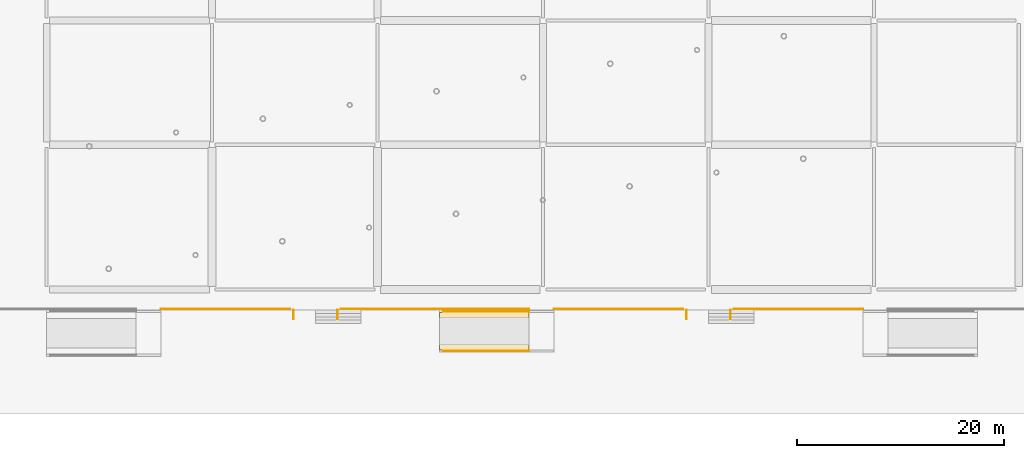
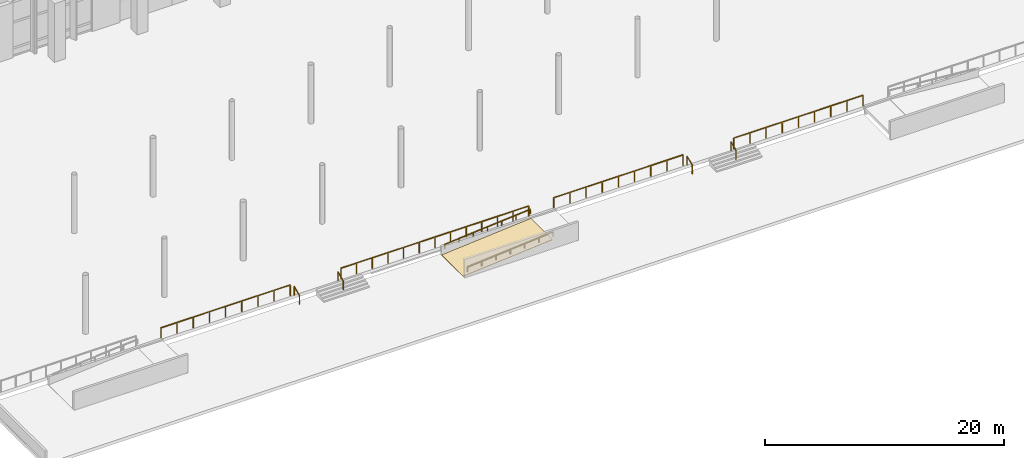
# One storey, part 146 of 163: 10 railings, 1 covering, 3 elements without a shape of their own.
"""IFC4 building model written with IfcOpenShell, lengths in metres."""

from ifc_helpers import new_model, si_unit, direction, frame, origin, origin_2d, place, context, subcontext, project, spatial, polyline, rectangle, outline, extrude, material, layer, layer_set, type_object, element, aggregate, save


model = new_model("IFC4")

# Units and contexts
model_context = context("Model", 3, precision=1e-05, world=origin(), true_north=direction((0.0, 1.0)))
body_context = subcontext(model_context, "Body", "Model", "MODEL_VIEW")
ifc_project = project(units=[si_unit("LENGTHUNIT", "METRE"), si_unit("AREAUNIT", "SQUARE_METRE"), si_unit("VOLUMEUNIT", "CUBIC_METRE"), si_unit("PLANEANGLEUNIT", "RADIAN"), si_unit("MASSUNIT", "GRAM", prefix="KILO")], contexts=[model_context])

# Site, building, storey
site_placement = place(None, origin())
site = spatial("IfcSite", under=ifc_project, at=site_placement, CompositionType="ELEMENT")
building_placement = place(site_placement, origin())
building = spatial("IfcBuilding", under=site, at=building_placement, Name="Khorjan Park Terminus", CompositionType="ELEMENT")
storey_placement = place(building_placement, origin())
storey = spatial("IfcBuildingStorey", under=building, at=storey_placement, Name="L00", CompositionType="ELEMENT", Elevation=0.0)

# Covering
ifc_material_1 = material(Name="Exterior Flamed Granite Ramp Paving", Category="masonry")
ifc_layer = layer(ifc_material_1, 0.045)
ifc_layer_set = layer_set([ifc_layer], Name="Exterior Flamed Granite Ramp Paving")
covering_type = type_object("IfcCoveringType", Name="CV-FLR-GRNE", PredefinedType="FLOORING", material=ifc_layer_set)
covering_placement = place(storey_placement, frame((86.0, -17.84, -0.68), z_axis=(-0.083045479854, 0.0, 0.996545758245), x_axis=(0.996545758245, 0.0, 0.083045479854)))
element("IfcCovering", 1, at=covering_placement, inside=storey, type_object=covering_type, Name="Flamed granite ramp wearing surface FF-GRNE (GRMP-S-M)", PredefinedType="FLOORING", context=body_context, shape_type="SweptSolid", body=[
    extrude(outline(polyline([(0.0, 0.0), (8.669948096730455, 0.0), (8.669948096730455, 3.5999999999999996), (0.0, 3.5999999999999996), (0.0, 0.0)])), origin(), (0.0, 0.0, -1.0), 0.045),
])

# Railings
ifc_material_2 = material(Name="Anodized Bronze Aluminium & Laminated Glass", Category="aluminium")
railing_type_1 = type_object("IfcRailingType", Name="GR-BAL", PredefinedType="BALUSTRADE", material=ifc_material_2)
for number, where, name in (
    (2, (71.55, -13.9, 0.0), "Perimeter safety guard GB-112 (L00-4)"),
    (3, (109.55, -13.9, 0.0), "Perimeter safety guard GB-112 (L00-6)"),
):
    element("IfcRailing", number, at=place(storey_placement, frame(where)), inside=storey, type_object=railing_type_1, Name=name, PredefinedType="BALUSTRADE", context=body_context, shape_type="SweptSolid", body=[
        extrude(rectangle(XDim=0.048, YDim=0.048, at=origin_2d()), frame((0.0, 0.0, 1.096), z_axis=(-1.0, 0.0, 0.0), x_axis=(0.0, -1.0, 0.0)), (0.0, 0.0, 1.0), 12.51),
        extrude(rectangle(XDim=0.042, YDim=0.042, at=origin_2d()), origin(), (0.0, 0.0, 1.0), 1.072),
        extrude(rectangle(XDim=0.042, YDim=0.042, at=origin_2d()), frame((-1.5637, 0.0, 0.0)), (0.0, 0.0, 1.0), 1.072),
        extrude(rectangle(XDim=0.042, YDim=0.042, at=origin_2d()), frame((-3.1275, 0.0, 0.0)), (0.0, 0.0, 1.0), 1.072),
        extrude(rectangle(XDim=0.042, YDim=0.042, at=origin_2d()), frame((-4.6912, 0.0, 0.0)), (0.0, 0.0, 1.0), 1.072),
        extrude(rectangle(XDim=0.042, YDim=0.042, at=origin_2d()), frame((-6.255, 0.0, 0.0)), (0.0, 0.0, 1.0), 1.072),
        extrude(rectangle(XDim=0.042, YDim=0.042, at=origin_2d()), frame((-7.8187, 0.0, 0.0)), (0.0, 0.0, 1.0), 1.072),
        extrude(rectangle(XDim=0.042, YDim=0.042, at=origin_2d()), frame((-9.3825, 0.0, 0.0)), (0.0, 0.0, 1.0), 1.072),
        extrude(rectangle(XDim=0.042, YDim=0.042, at=origin_2d()), frame((-10.9462, 0.0, 0.0)), (0.0, 0.0, 1.0), 1.072),
        extrude(rectangle(XDim=0.042, YDim=0.042, at=origin_2d()), frame((-12.51, 0.0, 0.0)), (0.0, 0.0, 1.0), 1.072),
    ])
ifc_material_3 = material(Name="Steel S355", Category="steel")
railing_type_2 = type_object("IfcRailingType", Name="GR-EXT", PredefinedType="GUARDRAIL", material=ifc_material_3)
railing_1_placement = place(storey_placement, frame((94.625, -13.9, 0.0)))
element("IfcRailing", 4, at=railing_1_placement, inside=storey, type_object=railing_type_2, Name="Perimeter safety guard GR-EXT (L00-5)", PredefinedType="GUARDRAIL", context=body_context, shape_type="SweptSolid", body=[
    extrude(rectangle(XDim=0.048, YDim=0.048, at=origin_2d()), frame((0.0, 0.0, 1.096), z_axis=(-1.0, 0.0, 0.0), x_axis=(0.0, -1.0, 0.0)), (0.0, 0.0, 1.0), 18.175),
    extrude(rectangle(XDim=0.042, YDim=0.042, at=origin_2d()), origin(), (0.0, 0.0, 1.0), 1.072),
    extrude(rectangle(XDim=0.042, YDim=0.042, at=origin_2d()), frame((-1.5146, 0.0, 0.0)), (0.0, 0.0, 1.0), 1.072),
    extrude(rectangle(XDim=0.042, YDim=0.042, at=origin_2d()), frame((-3.0292, 0.0, 0.0)), (0.0, 0.0, 1.0), 1.072),
    extrude(rectangle(XDim=0.042, YDim=0.042, at=origin_2d()), frame((-4.5437, 0.0, 0.0)), (0.0, 0.0, 1.0), 1.072),
    extrude(rectangle(XDim=0.042, YDim=0.042, at=origin_2d()), frame((-6.0583, 0.0, 0.0)), (0.0, 0.0, 1.0), 1.072),
    extrude(rectangle(XDim=0.042, YDim=0.042, at=origin_2d()), frame((-7.5729, 0.0, 0.0)), (0.0, 0.0, 1.0), 1.072),
    extrude(rectangle(XDim=0.042, YDim=0.042, at=origin_2d()), frame((-9.0875, 0.0, 0.0)), (0.0, 0.0, 1.0), 1.072),
    extrude(rectangle(XDim=0.042, YDim=0.042, at=origin_2d()), frame((-10.6021, 0.0, 0.0)), (0.0, 0.0, 1.0), 1.072),
    extrude(rectangle(XDim=0.042, YDim=0.042, at=origin_2d()), frame((-12.1167, 0.0, 0.0)), (0.0, 0.0, 1.0), 1.072),
    extrude(rectangle(XDim=0.042, YDim=0.042, at=origin_2d()), frame((-13.6312, 0.0, 0.0)), (0.0, 0.0, 1.0), 1.072),
    extrude(rectangle(XDim=0.042, YDim=0.042, at=origin_2d()), frame((-15.1458, 0.0, 0.0)), (0.0, 0.0, 1.0), 1.072),
    extrude(rectangle(XDim=0.042, YDim=0.042, at=origin_2d()), frame((-16.6604, 0.0, 0.0)), (0.0, 0.0, 1.0), 1.072),
    extrude(rectangle(XDim=0.042, YDim=0.042, at=origin_2d()), frame((-18.175, 0.0, 0.0)), (0.0, 0.0, 1.0), 1.072),
])
railing_2_placement = place(storey_placement, frame((126.96, -13.9, 0.0)))
element("IfcRailing", 5, at=railing_2_placement, inside=storey, type_object=railing_type_2, Name="Perimeter safety guard GR-EXT (L00-7)", PredefinedType="GUARDRAIL", context=body_context, shape_type="SweptSolid", body=[
    extrude(rectangle(XDim=0.048, YDim=0.048, at=origin_2d()), frame((0.0, 0.0, 1.096), z_axis=(-1.0, 0.0, 0.0), x_axis=(0.0, -1.0, 0.0)), (0.0, 0.0, 1.0), 12.51),
    extrude(rectangle(XDim=0.042, YDim=0.042, at=origin_2d()), origin(), (0.0, 0.0, 1.0), 1.072),
    extrude(rectangle(XDim=0.042, YDim=0.042, at=origin_2d()), frame((-1.5637, 0.0, 0.0)), (0.0, 0.0, 1.0), 1.072),
    extrude(rectangle(XDim=0.042, YDim=0.042, at=origin_2d()), frame((-3.1275, 0.0, 0.0)), (0.0, 0.0, 1.0), 1.072),
    extrude(rectangle(XDim=0.042, YDim=0.042, at=origin_2d()), frame((-4.6912, 0.0, 0.0)), (0.0, 0.0, 1.0), 1.072),
    extrude(rectangle(XDim=0.042, YDim=0.042, at=origin_2d()), frame((-6.255, 0.0, 0.0)), (0.0, 0.0, 1.0), 1.072),
    extrude(rectangle(XDim=0.042, YDim=0.042, at=origin_2d()), frame((-7.8187, 0.0, 0.0)), (0.0, 0.0, 1.0), 1.072),
    extrude(rectangle(XDim=0.042, YDim=0.042, at=origin_2d()), frame((-9.3825, 0.0, 0.0)), (0.0, 0.0, 1.0), 1.072),
    extrude(rectangle(XDim=0.042, YDim=0.042, at=origin_2d()), frame((-10.9462, 0.0, 0.0)), (0.0, 0.0, 1.0), 1.072),
    extrude(rectangle(XDim=0.042, YDim=0.042, at=origin_2d()), frame((-12.51, 0.0, 0.0)), (0.0, 0.0, 1.0), 1.072),
])

# Stair, railings
ifc_material_4 = material(Name="Concrete C40/50", Category="concrete")
stair_type = type_object("IfcStairType", Name="STR-CIV-440", PredefinedType="STRAIGHT_RUN_STAIR", material=ifc_material_4)
stair_1_placement = place(storey_placement, origin())
stair_1 = element("IfcStair", 6, at=stair_1_placement, inside=storey, type_object=stair_type, Name="Monumental civic entrance stair ES-01", PredefinedType="STRAIGHT_RUN_STAIR")
railing_type_3 = type_object("IfcRailingType", Name="HR-EXT", PredefinedType="HANDRAIL", material=ifc_material_3)
railing_3_placement = place(storey_placement, frame((71.88, -14.86, -0.387)))
railing_3 = element("IfcRailing", 7, at=railing_3_placement, type_object=railing_type_3, Name="Civic stair ES-01 left handrail HR-EXT", PredefinedType="HANDRAIL", context=body_context, shape_type="SweptSolid", body=[
    extrude(rectangle(XDim=0.048, YDim=0.048, at=origin_2d()), frame((0.0, 0.0, 0.896), z_axis=(0.0, 0.911921505175, 0.410364677329), x_axis=(-1.0, 0.0, 0.0)), (0.0, 0.0, 1.0), 0.9431),
    extrude(rectangle(XDim=0.042, YDim=0.042, at=origin_2d()), origin(), (0.0, 0.0, 1.0), 0.872),
    extrude(rectangle(XDim=0.042, YDim=0.042, at=origin_2d()), frame((0.0, 0.86, 0.387)), (0.0, 0.0, 1.0), 0.872),
])
railing_4_placement = place(storey_placement, frame((76.12, -14.86, -0.387)))
railing_4 = element("IfcRailing", 8, at=railing_4_placement, type_object=railing_type_3, Name="Civic stair ES-01 right handrail HR-EXT", PredefinedType="HANDRAIL", context=body_context, shape_type="SweptSolid", body=[
    extrude(rectangle(XDim=0.048, YDim=0.048, at=origin_2d()), frame((0.0, 0.0, 0.896), z_axis=(0.0, 0.911921505175, 0.410364677329), x_axis=(-1.0, 0.0, 0.0)), (0.0, 0.0, 1.0), 0.9431),
    extrude(rectangle(XDim=0.042, YDim=0.042, at=origin_2d()), origin(), (0.0, 0.0, 1.0), 0.872),
    extrude(rectangle(XDim=0.042, YDim=0.042, at=origin_2d()), frame((0.0, 0.86, 0.387)), (0.0, 0.0, 1.0), 0.872),
])
aggregate(stair_1, [railing_3, railing_4])

stair_2_placement = place(storey_placement, origin())
stair_2 = element("IfcStair", 9, at=stair_2_placement, inside=storey, type_object=stair_type, Name="Monumental civic entrance stair ES-02", PredefinedType="STRAIGHT_RUN_STAIR")
railing_5_placement = place(storey_placement, frame((109.88, -14.86, -0.387)))
railing_5 = element("IfcRailing", 10, at=railing_5_placement, type_object=railing_type_3, Name="Civic stair ES-02 left handrail HR-EXT", PredefinedType="HANDRAIL", context=body_context, shape_type="SweptSolid", body=[
    extrude(rectangle(XDim=0.048, YDim=0.048, at=origin_2d()), frame((0.0, 0.0, 0.896), z_axis=(0.0, 0.911921505175, 0.410364677329), x_axis=(-1.0, 0.0, 0.0)), (0.0, 0.0, 1.0), 0.9431),
    extrude(rectangle(XDim=0.042, YDim=0.042, at=origin_2d()), origin(), (0.0, 0.0, 1.0), 0.872),
    extrude(rectangle(XDim=0.042, YDim=0.042, at=origin_2d()), frame((0.0, 0.86, 0.387)), (0.0, 0.0, 1.0), 0.872),
])
railing_6_placement = place(storey_placement, frame((114.12, -14.86, -0.387)))
railing_6 = element("IfcRailing", 11, at=railing_6_placement, type_object=railing_type_3, Name="Civic stair ES-02 right handrail HR-EXT", PredefinedType="HANDRAIL", context=body_context, shape_type="SweptSolid", body=[
    extrude(rectangle(XDim=0.048, YDim=0.048, at=origin_2d()), frame((0.0, 0.0, 0.896), z_axis=(0.0, 0.911921505175, 0.410364677329), x_axis=(-1.0, 0.0, 0.0)), (0.0, 0.0, 1.0), 0.9431),
    extrude(rectangle(XDim=0.042, YDim=0.042, at=origin_2d()), origin(), (0.0, 0.0, 1.0), 0.872),
    extrude(rectangle(XDim=0.042, YDim=0.042, at=origin_2d()), frame((0.0, 0.86, 0.387)), (0.0, 0.0, 1.0), 0.872),
])
aggregate(stair_2, [railing_5, railing_6])

# Ramp, railings
ramp_type = type_object("IfcRampType", Name="RMP-ACC-360", PredefinedType="STRAIGHT_RUN_RAMP", material=ifc_material_4)
ramp_placement = place(storey_placement, origin())
ramp = element("IfcRamp", 12, at=ramp_placement, inside=storey, type_object=ramp_type, Name="Accessible 1:12 site-grade approach ramp AR-02", PredefinedType="STRAIGHT_RUN_RAMP")
railing_7_placement = place(storey_placement, frame((86.36, -17.95, -0.69)))
railing_7 = element("IfcRailing", 13, at=railing_7_placement, type_object=railing_type_3, Name="Accessible ramp handrail HR-EXT (GRMP-S-M-S)", PredefinedType="HANDRAIL", context=body_context, shape_type="SweptSolid", body=[
    extrude(rectangle(XDim=0.048, YDim=0.048, at=origin_2d()), frame((0.0, 0.0, 0.896), z_axis=(0.996545758245, 0.0, 0.083045479854), x_axis=(0.0, 1.0, 0.0)), (0.0, 0.0, 1.0), 8.3087),
    extrude(rectangle(XDim=0.042, YDim=0.042, at=origin_2d()), frame((0.0, 0.0, 0.442)), (0.0, 0.0, 1.0), 0.43),
    extrude(rectangle(XDim=0.042, YDim=0.042, at=origin_2d()), frame((1.38, 0.0, 0.557)), (0.0, 0.0, 1.0), 0.43),
    extrude(rectangle(XDim=0.042, YDim=0.042, at=origin_2d()), frame((2.76, 0.0, 0.672)), (0.0, 0.0, 1.0), 0.43),
    extrude(rectangle(XDim=0.042, YDim=0.042, at=origin_2d()), frame((4.14, 0.0, 0.787)), (0.0, 0.0, 1.0), 0.43),
    extrude(rectangle(XDim=0.042, YDim=0.042, at=origin_2d()), frame((5.52, 0.0, 0.902)), (0.0, 0.0, 1.0), 0.43),
    extrude(rectangle(XDim=0.042, YDim=0.042, at=origin_2d()), frame((6.9, 0.0, 1.017)), (0.0, 0.0, 1.0), 0.43),
    extrude(rectangle(XDim=0.042, YDim=0.042, at=origin_2d()), frame((8.28, 0.0, 1.132)), (0.0, 0.0, 1.0), 0.43),
])
railing_8_placement = place(storey_placement, frame((86.36, -14.13, -0.69)))
railing_8 = element("IfcRailing", 14, at=railing_8_placement, type_object=railing_type_3, Name="Accessible ramp handrail HR-EXT (GRMP-S-M-N)", PredefinedType="HANDRAIL", context=body_context, shape_type="SweptSolid", body=[
    extrude(rectangle(XDim=0.048, YDim=0.048, at=origin_2d()), frame((0.0, 0.0, 0.896), z_axis=(0.996545758245, 0.0, 0.083045479854), x_axis=(0.0, 1.0, 0.0)), (0.0, 0.0, 1.0), 8.3087),
    extrude(rectangle(XDim=0.042, YDim=0.042, at=origin_2d()), frame((0.0, 0.0, 0.442)), (0.0, 0.0, 1.0), 0.43),
    extrude(rectangle(XDim=0.042, YDim=0.042, at=origin_2d()), frame((1.38, 0.0, 0.557)), (0.0, 0.0, 1.0), 0.43),
    extrude(rectangle(XDim=0.042, YDim=0.042, at=origin_2d()), frame((2.76, 0.0, 0.672)), (0.0, 0.0, 1.0), 0.43),
    extrude(rectangle(XDim=0.042, YDim=0.042, at=origin_2d()), frame((4.14, 0.0, 0.787)), (0.0, 0.0, 1.0), 0.43),
    extrude(rectangle(XDim=0.042, YDim=0.042, at=origin_2d()), frame((5.52, 0.0, 0.902)), (0.0, 0.0, 1.0), 0.43),
    extrude(rectangle(XDim=0.042, YDim=0.042, at=origin_2d()), frame((6.9, 0.0, 1.017)), (0.0, 0.0, 1.0), 0.43),
    extrude(rectangle(XDim=0.042, YDim=0.042, at=origin_2d()), frame((8.28, 0.0, 1.132)), (0.0, 0.0, 1.0), 0.43),
])
aggregate(ramp, [railing_7, railing_8])

save(model, "model.ifc")
